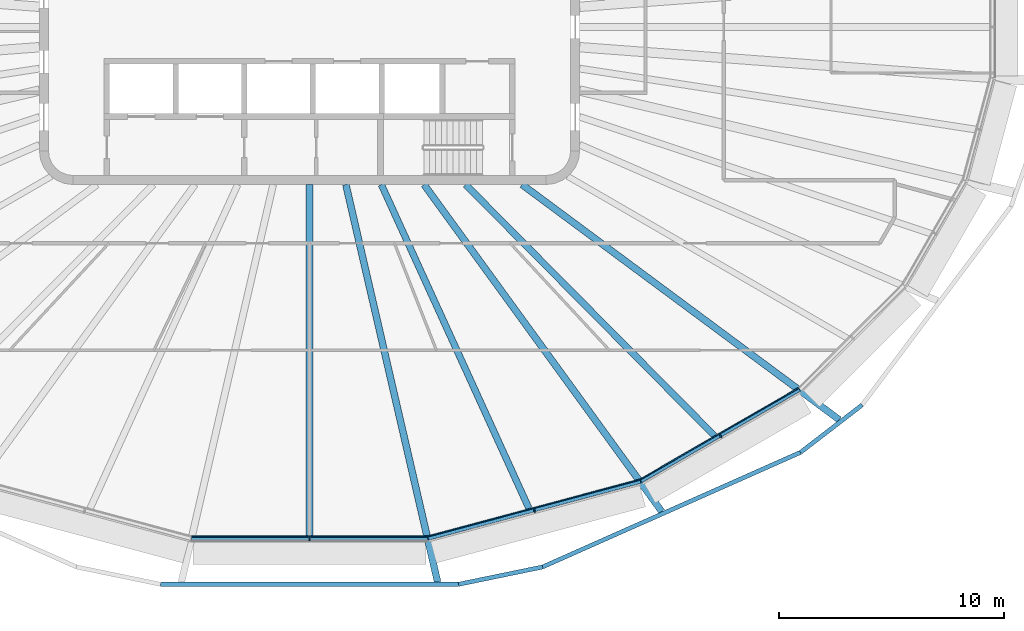
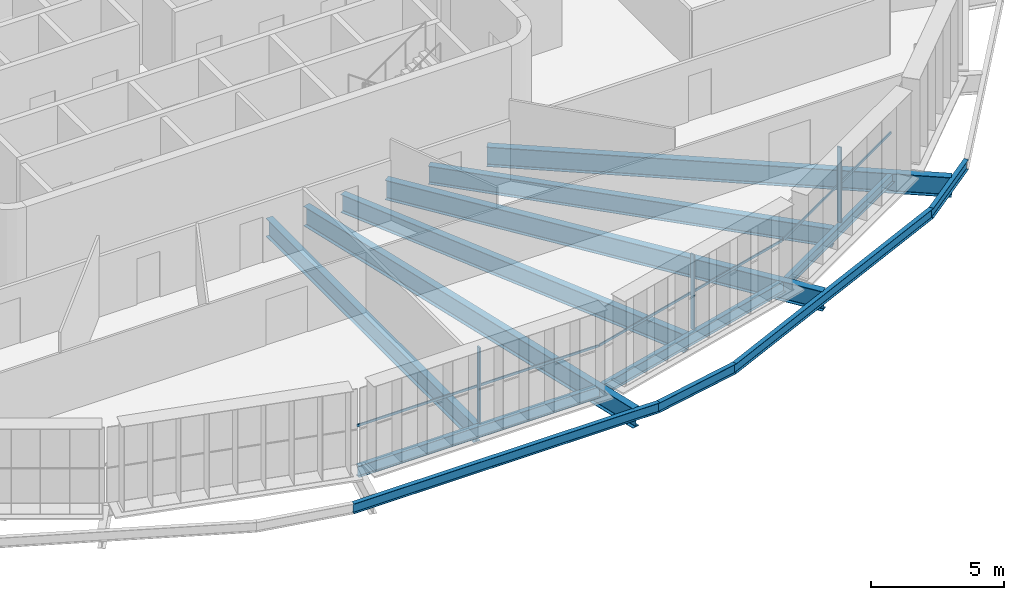
# One storey, part 3 of 20: 13 beams, 6 members, 3 elements without a shape of their own.
"""IFC4 building model written with IfcOpenShell, lengths in metres."""

from ifc_helpers import new_model, si_unit, direction, frame, origin, origin_2d, place, context, subcontext, project, spatial, rectangle, i_section, extrude, material, layer, layer_set, material_profile, profile_set, type_object, element, aggregate, save


model = new_model("IFC4")

# Units and contexts
model_context = context("Model", 3, precision=1e-05, world=origin(), true_north=direction((0.0, 1.0)))
body_context = subcontext(model_context, "Body", "Model", "MODEL_VIEW")
ifc_project = project(units=[si_unit("LENGTHUNIT", "METRE"), si_unit("AREAUNIT", "SQUARE_METRE"), si_unit("VOLUMEUNIT", "CUBIC_METRE"), si_unit("PLANEANGLEUNIT", "RADIAN"), si_unit("MASSUNIT", "GRAM", prefix="KILO")], contexts=[model_context])

# Site, building, storey
site_placement = place(None, origin())
site = spatial("IfcSite", under=ifc_project, at=site_placement, CompositionType="ELEMENT")
building_placement = place(site_placement, origin())
building = spatial("IfcBuilding", under=site, at=building_placement, Name="Sahrelin Media Tower", CompositionType="ELEMENT")
storey_placement = place(building_placement, frame((0.0, 0.0, 237.60009765625)))
storey = spatial("IfcBuildingStorey", under=building, at=storey_placement, Name="L51", CompositionType="ELEMENT", Elevation=237.60009765625)

# Beams
ifc_material_1 = material(Name="Steel S355", Category="steel")
ifc_material_profile_1 = material_profile(ifc_material_1, i_section(OverallWidth=0.1904296875, OverallDepth=0.45703125, WebThickness=0.009033203125, FlangeThickness=0.014404296875, FilletRadius=0.01025390625, at=origin_2d()), Name="UB 457x191x74")
ifc_profile_set_1 = profile_set([ifc_material_profile_1], Name="Steel S355")
beam_type_1 = type_object("IfcBeamType", Name="Edge beam EB5", PredefinedType="BEAM", material=ifc_profile_set_1)
beam_1_placement = place(storey_placement, frame((21.756591796875, -16.095947265625, -0.378662109375), z_axis=(-0.866024038412, -0.500002364886, 0.0), x_axis=(0.500002364886, -0.866024038412, 0.0)))
element("IfcBeam", 1, at=beam_1_placement, inside=storey, type_object=beam_type_1, Name="Edge beam L51-05", PredefinedType="BEAM", context=body_context, shape_type="SweptSolid", body=[
    extrude(i_section(OverallWidth=0.1904296875, OverallDepth=0.45703125, WebThickness=0.009033203125, FlangeThickness=0.014404296875, FilletRadius=0.01025390625, at=origin_2d()), origin(), (0.0, 0.0, 1.0), 8.12890625),
])
ifc_material_profile_2 = material_profile(ifc_material_1, i_section(OverallWidth=0.208740234375, OverallDepth=0.5283203125, WebThickness=0.009521484375, FlangeThickness=0.01318359375, FilletRadius=0.0126953125, at=origin_2d()), Name="UB 533x210x82")
ifc_profile_set_2 = profile_set([ifc_material_profile_2], Name="Steel S355")
beam_type_2 = type_object("IfcBeamType", Name="Edge beam EB6", PredefinedType="BEAM", material=ifc_profile_set_2)
beam_2_placement = place(storey_placement, frame((14.690185546875, -20.17138671875, -0.414306640625), z_axis=(-0.965922692081, -0.258830741845, 0.0), x_axis=(0.258830741845, -0.965922692081, 0.0)))
element("IfcBeam", 2, at=beam_2_placement, inside=storey, type_object=beam_type_2, Name="Edge beam L51-06", PredefinedType="BEAM", context=body_context, shape_type="SweptSolid", body=[
    extrude(i_section(OverallWidth=0.208740234375, OverallDepth=0.5283203125, WebThickness=0.009521484375, FlangeThickness=0.01318359375, FilletRadius=0.0126953125, at=origin_2d()), origin(), (0.0, 0.0, 1.0), 9.755126953125),
])
beam_3_placement = place(storey_placement, frame((5.239013671875, -22.699951171875, -0.414306640625), z_axis=(-1.0, 0.0, 0.0), x_axis=(0.0, -1.0, 0.0)))
element("IfcBeam", 3, at=beam_3_placement, inside=storey, type_object=beam_type_2, Name="Edge beam L51-07", PredefinedType="BEAM", context=body_context, shape_type="SweptSolid", body=[
    extrude(i_section(OverallWidth=0.208740234375, OverallDepth=0.5283203125, WebThickness=0.009521484375, FlangeThickness=0.01318359375, FilletRadius=0.0126953125, at=origin_2d()), origin(), (0.0, 0.0, 1.0), 10.47802734375),
])

# Curtain wall, member
ifc_material_2 = material(Name="Champagne anodised aluminium 6063-T6", Category="aluminium")
ifc_layer = layer(ifc_material_2, 0.14990234375)
ifc_layer_set = layer_set([ifc_layer], Name="Tower ribbon curtain wall")
curtain_wall_type = type_object("IfcCurtainWallType", Name="Tower ribbon curtain wall", PredefinedType="NOTDEFINED", material=ifc_layer_set)
curtain_wall_1_placement = place(storey_placement, frame((0.0, -22.85009765625, 0.0), z_axis=(0.0, 0.0, 1.0), x_axis=(1.0, 0.0, 0.0)))
curtain_wall_1 = element("IfcCurtainWall", 4, at=curtain_wall_1_placement, inside=storey, type_object=curtain_wall_type, Name="L51:CW:L51-18", PredefinedType="NOTDEFINED")
ifc_material_profile_3 = material_profile(ifc_material_2, rectangle(XDim=0.06005859375, YDim=0.175048828125, at=origin_2d()), Name="Mullion 60x175")
ifc_profile_set_3 = profile_set([ifc_material_profile_3], Name="Champagne anodised aluminium 6063-T6")
member_type_1 = type_object("IfcMemberType", Name="Mullion 60x175 CW1B", PredefinedType="MULLION", material=ifc_profile_set_3)
member_1_placement = place(storey_placement, frame((0.0, -22.742431640625, 0.0), z_axis=(0.0, 0.0, 1.0), x_axis=(1.0, 0.0, 0.0)))
member_1 = element("IfcMember", 5, at=member_1_placement, type_object=member_type_1, Name="L51:CWM:L51-18", PredefinedType="MULLION", context=body_context, shape_type="SweptSolid", body=[
    extrude(rectangle(XDim=0.06005859375, YDim=0.175048828125, at=origin_2d()), origin(), (0.0, 0.0, 1.0), 3.448486328125),
])

curtain_wall_2_placement = place(storey_placement, frame((10.017578125, -21.57861328125, 0.0), z_axis=(0.0, 0.0, 1.0), x_axis=(1.0, 0.0, 0.0)))
curtain_wall_2 = element("IfcCurtainWall", 6, at=curtain_wall_2_placement, inside=storey, type_object=curtain_wall_type, Name="L51:CW:L51-19", PredefinedType="NOTDEFINED")
member_2_placement = place(storey_placement, frame((9.98974609375, -21.474853515625, 0.0), z_axis=(0.0, 0.0, 1.0), x_axis=(0.965925374563, 0.258820730961, 0.0)))
member_2 = element("IfcMember", 7, at=member_2_placement, type_object=member_type_1, Name="L51:CWM:L51-19", PredefinedType="MULLION", context=body_context, shape_type="SweptSolid", body=[
    extrude(rectangle(XDim=0.06005859375, YDim=0.175048828125, at=origin_2d()), origin(), (0.0, 0.0, 1.0), 3.448486328125),
])

curtain_wall_3_placement = place(storey_placement, frame((18.3115234375, -18.258056640625, 0.0), z_axis=(0.0, 0.0, 1.0), x_axis=(1.0, 0.0, 0.0)))
curtain_wall_3 = element("IfcCurtainWall", 8, at=curtain_wall_3_placement, inside=storey, type_object=curtain_wall_type, Name="L51:CW:L51-20", PredefinedType="NOTDEFINED")
member_3_placement = place(storey_placement, frame((18.2578125, -18.1650390625, 0.0), z_axis=(0.0, 0.0, 1.0), x_axis=(0.866027149108, 0.499996976998, 0.0)))
member_3 = element("IfcMember", 9, at=member_3_placement, type_object=member_type_1, Name="L51:CWM:L51-20", PredefinedType="MULLION", context=body_context, shape_type="SweptSolid", body=[
    extrude(rectangle(XDim=0.06005859375, YDim=0.175048828125, at=origin_2d()), origin(), (0.0, 0.0, 1.0), 3.448486328125),
])

# Beams
ifc_material_profile_4 = material_profile(ifc_material_1, i_section(OverallWidth=0.30322265625, OverallDepth=0.903076171875, WebThickness=0.01513671875, FlangeThickness=0.020263671875, FilletRadius=0.01904296875, at=origin_2d()), Name="UB 914x305x201")
ifc_profile_set_4 = profile_set([ifc_material_profile_4], Name="Steel S355")
beam_type_3 = type_object("IfcBeamType", Name="Radial primary beam PB11", PredefinedType="BEAM", material=ifc_profile_set_4)
beam_4_placement = place(storey_placement, frame((1.615478515625, -7.0, -0.6015625), z_axis=(0.224867376776, -0.97438937949, 0.0), x_axis=(0.97438937949, 0.224867376776, 0.0)))
element("IfcBeam", 10, at=beam_4_placement, inside=storey, type_object=beam_type_3, Name="Radial beam L51-19", PredefinedType="BEAM", context=body_context, shape_type="SweptSolid", body=[
    extrude(i_section(OverallWidth=0.30322265625, OverallDepth=0.903076171875, WebThickness=0.01513671875, FlangeThickness=0.020263671875, FilletRadius=0.01904296875, at=origin_2d()), origin(), (0.0, 0.0, 1.0), 18.124755859375),
])
beam_5_placement = place(storey_placement, frame((5.08837890625, -7.0, -0.6015625), z_axis=(0.587988206602, -0.808869500536, 0.0), x_axis=(0.808869500536, 0.587988206602, 0.0)))
element("IfcBeam", 11, at=beam_5_placement, inside=storey, type_object=beam_type_3, Name="Radial beam L51-20", PredefinedType="BEAM", context=body_context, shape_type="SweptSolid", body=[
    extrude(i_section(OverallWidth=0.30322265625, OverallDepth=0.903076171875, WebThickness=0.01513671875, FlangeThickness=0.020263671875, FilletRadius=0.01904296875, at=origin_2d()), origin(), (0.0, 0.0, 1.0), 17.9599609375),
])
beam_6_placement = place(storey_placement, frame((9.441162109375, -7.0, -0.6015625), z_axis=(0.803289615058, -0.59558861166, 0.0), x_axis=(0.59558861166, 0.803289615058, 0.0)))
element("IfcBeam", 12, at=beam_6_placement, inside=storey, type_object=beam_type_3, Name="Radial beam L51-21", PredefinedType="BEAM", context=body_context, shape_type="SweptSolid", body=[
    extrude(i_section(OverallWidth=0.30322265625, OverallDepth=0.903076171875, WebThickness=0.01513671875, FlangeThickness=0.020263671875, FilletRadius=0.01904296875, at=origin_2d()), origin(), (0.0, 0.0, 1.0), 17.542236328125),
])
ifc_material_profile_5 = material_profile(ifc_material_1, i_section(OverallWidth=0.291748046875, OverallDepth=0.8349609375, WebThickness=0.013916015625, FlangeThickness=0.018798828125, FilletRadius=0.017822265625, at=origin_2d()), Name="UB 838x292x176")
ifc_profile_set_5 = profile_set([ifc_material_profile_5], Name="Steel S355")
beam_type_4 = type_object("IfcBeamType", Name="Radial secondary beam SB10", PredefinedType="BEAM", material=ifc_profile_set_5)
beam_7_placement = place(storey_placement, frame((0.0, -7.0, -0.567626953125), z_axis=(0.0, -1.0, 0.0), x_axis=(1.0, 0.0, 0.0)))
element("IfcBeam", 13, at=beam_7_placement, inside=storey, type_object=beam_type_4, Name="Secondary beam L51-18", PredefinedType="BEAM", context=body_context, shape_type="SweptSolid", body=[
    extrude(i_section(OverallWidth=0.291748046875, OverallDepth=0.8349609375, WebThickness=0.013916015625, FlangeThickness=0.018798828125, FilletRadius=0.017822265625, at=origin_2d()), origin(), (0.0, 0.0, 1.0), 15.595703125),
])
beam_8_placement = place(storey_placement, frame((3.19091796875, -7.0, -0.567626953125), z_axis=(0.414752003644, -0.90993448966, 0.0), x_axis=(0.90993448966, 0.414752003644, 0.0)))
element("IfcBeam", 14, at=beam_8_placement, inside=storey, type_object=beam_type_4, Name="Secondary beam L51-19", PredefinedType="BEAM", context=body_context, shape_type="SweptSolid", body=[
    extrude(i_section(OverallWidth=0.291748046875, OverallDepth=0.8349609375, WebThickness=0.013916015625, FlangeThickness=0.018798828125, FilletRadius=0.017822265625, at=origin_2d()), origin(), (0.0, 0.0, 1.0), 15.8115234375),
])
beam_9_placement = place(storey_placement, frame((6.934326171875, -7.0, -0.567626953125), z_axis=(0.70375757682, -0.710440196687, 0.0), x_axis=(0.710440196687, 0.70375757682, 0.0)))
element("IfcBeam", 15, at=beam_9_placement, inside=storey, type_object=beam_type_4, Name="Secondary beam L51-20", PredefinedType="BEAM", context=body_context, shape_type="SweptSolid", body=[
    extrude(i_section(OverallWidth=0.291748046875, OverallDepth=0.8349609375, WebThickness=0.013916015625, FlangeThickness=0.018798828125, FilletRadius=0.017822265625, at=origin_2d()), origin(), (0.0, 0.0, 1.0), 15.70947265625),
])
ifc_material_profile_6 = material_profile(ifc_material_1, i_section(OverallWidth=0.1904296875, OverallDepth=0.45703125, WebThickness=0.009033203125, FlangeThickness=0.014404296875, FilletRadius=0.01025390625, at=origin_2d()), Name="UB 457x191x74")
ifc_profile_set_6 = profile_set([ifc_material_profile_6], Name="Steel S355")
beam_type_5 = type_object("IfcBeamType", Name="Tie chord TC5", PredefinedType="BEAM", material=ifc_profile_set_6)
beam_10_placement = place(storey_placement, frame((-6.61669921875, -24.755859375, -0.378662109375), z_axis=(1.0, 0.0, 0.0), x_axis=(0.0, 1.0, 0.0)))
element("IfcBeam", 16, at=beam_10_placement, inside=storey, type_object=beam_type_5, Name="Tie chord L51-18", PredefinedType="BEAM", context=body_context, shape_type="SweptSolid", body=[
    extrude(i_section(OverallWidth=0.1904296875, OverallDepth=0.45703125, WebThickness=0.009033203125, FlangeThickness=0.014404296875, FilletRadius=0.01025390625, at=origin_2d()), origin(), (0.0, 0.0, 1.0), 13.2333984375),
])
beam_11_placement = place(storey_placement, frame((6.61669921875, -24.755859375, -0.378662109375), z_axis=(0.979385944279, 0.201997950853, 0.0), x_axis=(-0.201997950853, 0.979385944279, 0.0)))
element("IfcBeam", 17, at=beam_11_placement, inside=storey, type_object=beam_type_5, Name="Tie chord L51-19", PredefinedType="BEAM", context=body_context, shape_type="SweptSolid", body=[
    extrude(i_section(OverallWidth=0.1904296875, OverallDepth=0.45703125, WebThickness=0.009033203125, FlangeThickness=0.014404296875, FilletRadius=0.01025390625, at=origin_2d()), origin(), (0.0, 0.0, 1.0), 3.813232421875),
])
beam_12_placement = place(storey_placement, frame((10.351318359375, -23.985595703125, -0.378662109375), z_axis=(0.913826800586, 0.406104147395, 0.0), x_axis=(-0.406104147395, 0.913826800586, 0.0)))
element("IfcBeam", 18, at=beam_12_placement, inside=storey, type_object=beam_type_5, Name="Tie chord L51-20", PredefinedType="BEAM", context=body_context, shape_type="SweptSolid", body=[
    extrude(i_section(OverallWidth=0.1904296875, OverallDepth=0.45703125, WebThickness=0.009033203125, FlangeThickness=0.014404296875, FilletRadius=0.01025390625, at=origin_2d()), origin(), (0.0, 0.0, 1.0), 12.541259765625),
])
beam_13_placement = place(storey_placement, frame((21.811767578125, -18.892578125, -0.378662109375), z_axis=(0.79244769643, 0.609939872793, 0.0), x_axis=(-0.609939872793, 0.79244769643, 0.0)))
element("IfcBeam", 19, at=beam_13_placement, inside=storey, type_object=beam_type_5, Name="Tie chord L51-21", PredefinedType="BEAM", context=body_context, shape_type="SweptSolid", body=[
    extrude(i_section(OverallWidth=0.1904296875, OverallDepth=0.45703125, WebThickness=0.009033203125, FlangeThickness=0.014404296875, FilletRadius=0.01025390625, at=origin_2d()), origin(), (0.0, 0.0, 1.0), 3.449951171875),
])

# Member
ifc_material_profile_7 = material_profile(ifc_material_2, rectangle(XDim=0.050048828125, YDim=0.110107421875, at=origin_2d()), Name="Transom 50x110")
ifc_profile_set_7 = profile_set([ifc_material_profile_7], Name="Champagne anodised aluminium 6063-T6")
member_type_2 = type_object("IfcMemberType", Name="Transom 50x110 CW1B", PredefinedType="USERDEFINED", material=ifc_profile_set_7)
member_4_placement = place(storey_placement, frame((-5.223388671875, -22.6298828125, 1.599853515625), z_axis=(1.0, 0.0, 0.0), x_axis=(0.0, 1.0, 0.0)))
member_4 = element("IfcMember", 20, at=member_4_placement, type_object=member_type_2, Name="L51:CWT:L51-18", ObjectType="TRANSOM", PredefinedType="USERDEFINED", context=body_context, shape_type="SweptSolid", body=[
    extrude(rectangle(XDim=0.050048828125, YDim=0.110107421875, at=origin_2d()), origin(), (0.0, 0.0, 1.0), 10.44677734375),
])

aggregate(curtain_wall_1, [member_1, member_4])

member_5_placement = place(storey_placement, frame((5.2646484375, -22.62451171875, 1.599853515625), z_axis=(0.965925860392, 0.25881891783, 0.0), x_axis=(-0.25881891783, 0.965925860392, 0.0)))
member_5 = element("IfcMember", 21, at=member_5_placement, type_object=member_type_2, Name="L51:CWT:L51-19", ObjectType="TRANSOM", PredefinedType="USERDEFINED", context=body_context, shape_type="SweptSolid", body=[
    extrude(rectangle(XDim=0.050048828125, YDim=0.110107421875, at=origin_2d()), origin(), (0.0, 0.0, 1.0), 9.723388671875),
])

aggregate(curtain_wall_2, [member_2, member_5])

member_6_placement = place(storey_placement, frame((14.6953125, -20.092041015625, 1.599853515625), z_axis=(0.866022911947, 0.500004315964, 0.0), x_axis=(-0.500004315964, 0.866022911947, 0.0)))
member_6 = element("IfcMember", 22, at=member_6_placement, type_object=member_type_2, Name="L51:CWT:L51-20", ObjectType="TRANSOM", PredefinedType="USERDEFINED", context=body_context, shape_type="SweptSolid", body=[
    extrude(rectangle(XDim=0.050048828125, YDim=0.110107421875, at=origin_2d()), origin(), (0.0, 0.0, 1.0), 8.09765625),
])

aggregate(curtain_wall_3, [member_3, member_6])

save(model, "model.ifc")
